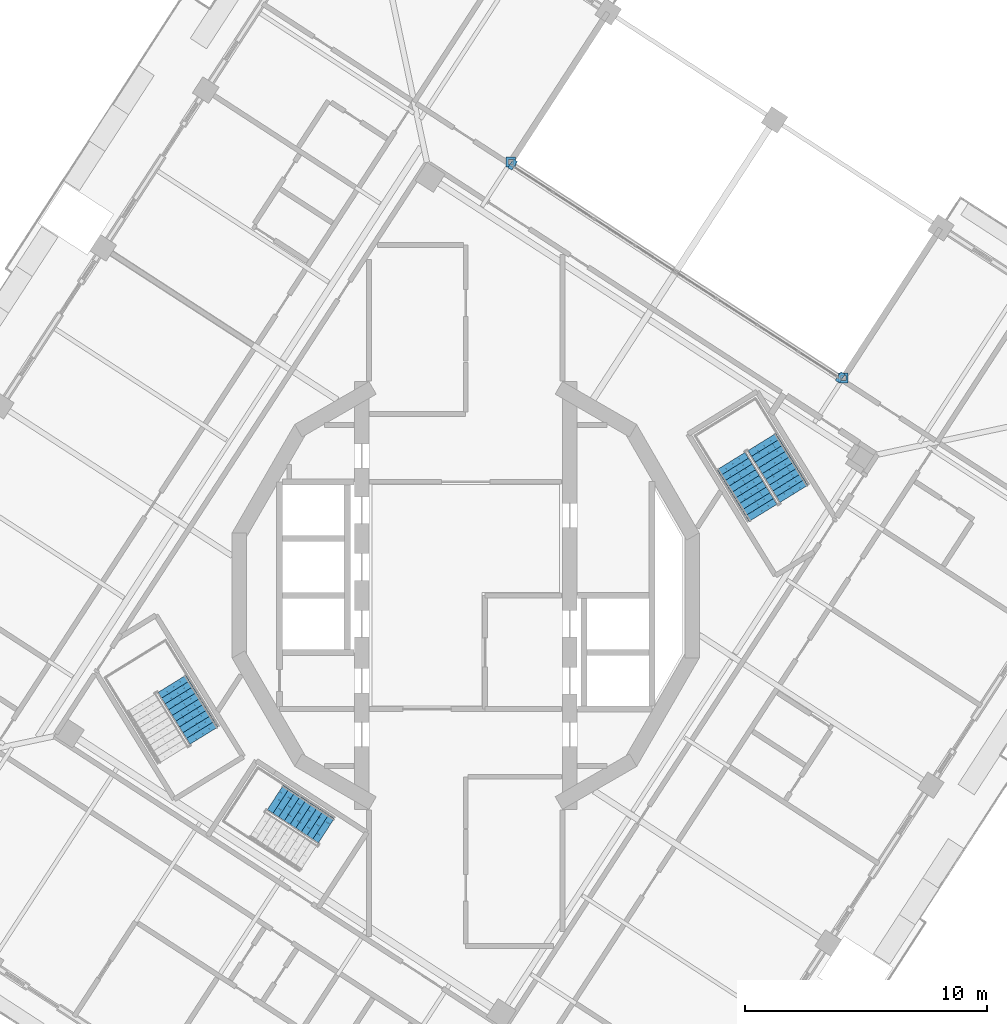
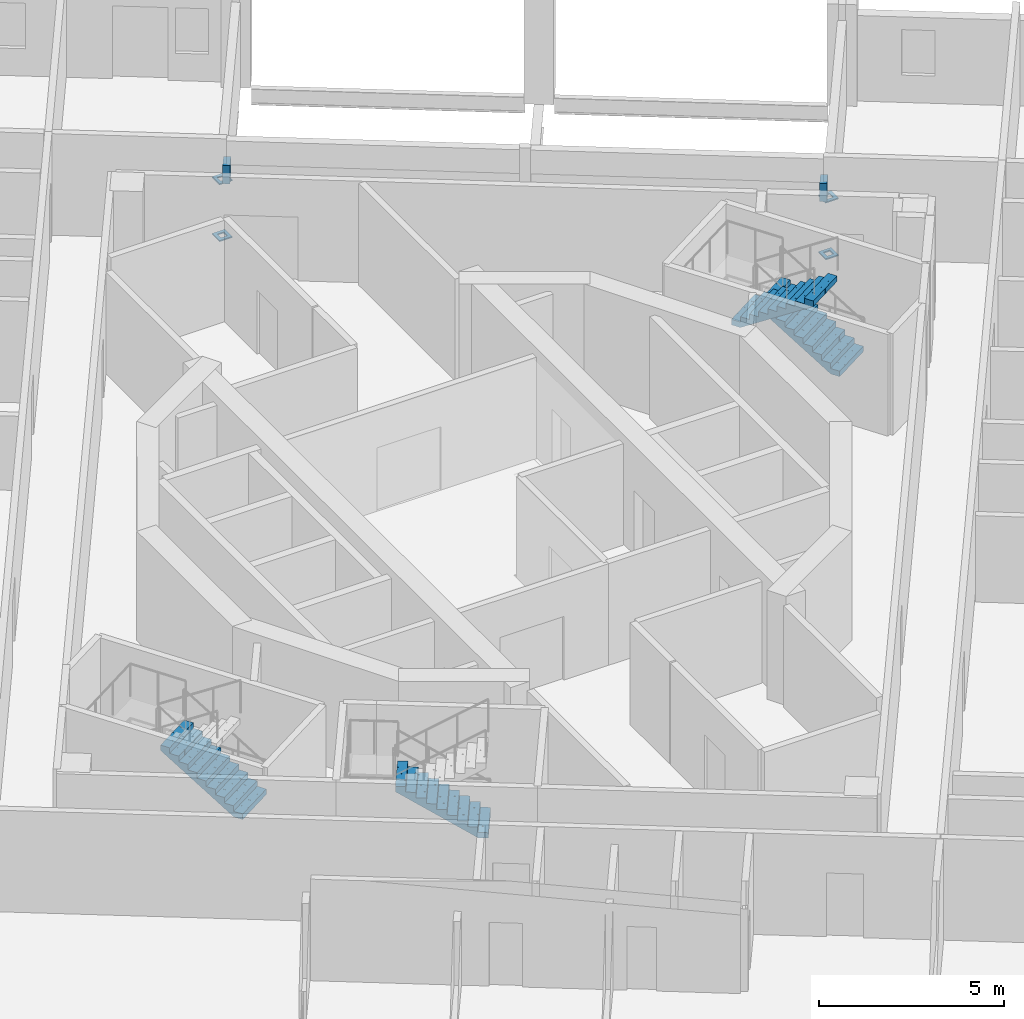
# One storey, part 12 of 17: 6 discrete accessories, 4 stair flights, 3 elements without a shape of their own.
"""IFC4 building model written with IfcOpenShell, lengths in metres."""

from ifc_helpers import new_model, si_unit, direction, frame, origin, place, context, subcontext, project, spatial, polyline, outline, extrude, material, layer, layer_set, type_object, element, aggregate, save


model = new_model("IFC4")

# Units and contexts
model_context = context("Model", 3, precision=1e-05, world=origin(), true_north=direction((0.0, 1.0)))
body_context = subcontext(model_context, "Body", "Model", "MODEL_VIEW")
ifc_project = project(units=[si_unit("LENGTHUNIT", "METRE"), si_unit("AREAUNIT", "SQUARE_METRE"), si_unit("VOLUMEUNIT", "CUBIC_METRE"), si_unit("PLANEANGLEUNIT", "RADIAN"), si_unit("MASSUNIT", "GRAM", prefix="KILO")], contexts=[model_context])

# Site, building, storey
site_placement = place(None, origin())
site = spatial("IfcSite", under=ifc_project, at=site_placement, CompositionType="ELEMENT")
building_placement = place(site_placement, origin())
building = spatial("IfcBuilding", under=site, at=building_placement, Name="Cantera Rosa Tower", CompositionType="ELEMENT")
storey_placement = place(building_placement, frame((0.0, 0.0, 275.699951171875)))
storey = spatial("IfcBuildingStorey", under=building, at=storey_placement, Name="L62", CompositionType="ELEMENT", Elevation=275.699951171875)

# Stair, stair flight
ifc_material_1 = material(Name="Concrete C35/45", Category="concrete")
stair_type_1 = type_object("IfcStairType", Name="EXIT STAIR 1200 DOGLEG", PredefinedType="HALF_TURN_STAIR", material=ifc_material_1)
stair_1_placement = place(storey_placement, origin())
stair_1 = element("IfcStair", 1, at=stair_1_placement, inside=storey, type_object=stair_type_1, Name="L62 ST-53", PredefinedType="HALF_TURN_STAIR")
ifc_material_2 = material(Name="Concrete C35/45", Category="concrete")
stair_flight_type_1 = type_object("IfcStairFlightType", Name="STAIR FLIGHT 1200 R20x180", PredefinedType="STRAIGHT", material=ifc_material_2)
stair_flight_1_placement = place(storey_placement, frame((-5.76318359375, -9.728271484375, 0.0), z_axis=(0.0, 0.0, 1.0), x_axis=(-0.838670567945, 0.544639035015, 0.0)))
stair_flight_1 = element("IfcStairFlight", 2, at=stair_flight_1_placement, type_object=stair_flight_type_1, Name="ST-53 flight 1", NumberOfRisers=10, NumberOfTreads=9, PredefinedType="STRAIGHT", RiserHeight=0.18, TreadLength=0.28, context=body_context, shape_type="SweptSolid", body=[
    extrude(outline(polyline([(0.0, 0.0), (0.0, 0.179931640625), (0.280029296875, 0.179931640625), (0.280029296875, 0.360107421875), (0.56005859375, 0.360107421875), (0.56005859375, 0.5400390625), (0.840087890625, 0.5400390625), (0.840087890625, 0.719970703125), (1.1201171875, 0.719970703125), (1.1201171875, 0.89990234375), (1.39990234375, 0.89990234375), (1.39990234375, 1.080078125), (1.679931640625, 1.080078125), (1.679931640625, 1.260009765625), (1.9599609375, 1.260009765625), (1.9599609375, 1.43994140625), (2.239990234375, 1.43994140625), (2.239990234375, 1.6201171875), (2.52001953125, 1.6201171875), (2.52001953125, 1.800048828125), (2.52001953125, 1.44189453125), (0.277099609375, 0.0), (0.0, 0.0)])), frame((0.0, 0.60009765625, 0.0), z_axis=(0.0, -1.0, 0.0), x_axis=(1.0, 0.0, 0.0)), (0.0, 0.0, 1.0), 0.298583984375),
    extrude(outline(polyline([(0.0, 0.0), (0.0, 0.179931640625), (0.280029296875, 0.179931640625), (0.280029296875, 0.360107421875), (0.56005859375, 0.360107421875), (0.56005859375, 0.5400390625), (0.840087890625, 0.5400390625), (0.840087890625, 0.719970703125), (1.1201171875, 0.719970703125), (1.1201171875, 0.89990234375), (1.39990234375, 0.89990234375), (1.39990234375, 1.080078125), (1.679931640625, 1.080078125), (1.679931640625, 1.260009765625), (1.9599609375, 1.260009765625), (1.9599609375, 1.43994140625), (2.239990234375, 1.43994140625), (2.239990234375, 1.6201171875), (2.52001953125, 1.6201171875), (2.52001953125, 1.800048828125), (2.52001953125, 1.44189453125), (0.277099609375, 0.0), (0.0, 0.0)])), frame((0.0, 0.29931640625, 0.0), z_axis=(0.0, -1.0, 0.0), x_axis=(1.0, 0.0, 0.0)), (0.0, 0.0, 1.0), 0.298583984375),
    extrude(outline(polyline([(0.0, 0.0), (0.0, 0.179931640625), (0.280029296875, 0.179931640625), (0.280029296875, 0.360107421875), (0.56005859375, 0.360107421875), (0.56005859375, 0.5400390625), (0.840087890625, 0.5400390625), (0.840087890625, 0.719970703125), (1.1201171875, 0.719970703125), (1.1201171875, 0.89990234375), (1.39990234375, 0.89990234375), (1.39990234375, 1.080078125), (1.679931640625, 1.080078125), (1.679931640625, 1.260009765625), (1.9599609375, 1.260009765625), (1.9599609375, 1.43994140625), (2.239990234375, 1.43994140625), (2.239990234375, 1.6201171875), (2.52001953125, 1.6201171875), (2.52001953125, 1.800048828125), (2.52001953125, 1.44189453125), (0.277099609375, 0.0), (0.0, 0.0)])), frame((0.0, -0.0009765625, 0.0), z_axis=(0.0, -1.0, 0.0), x_axis=(1.0, 0.0, 0.0)), (0.0, 0.0, 1.0), 0.298583984375),
    extrude(outline(polyline([(0.0, 0.0), (0.0, 0.179931640625), (0.280029296875, 0.179931640625), (0.280029296875, 0.360107421875), (0.56005859375, 0.360107421875), (0.56005859375, 0.5400390625), (0.840087890625, 0.5400390625), (0.840087890625, 0.719970703125), (1.1201171875, 0.719970703125), (1.1201171875, 0.89990234375), (1.39990234375, 0.89990234375), (1.39990234375, 1.080078125), (1.679931640625, 1.080078125), (1.679931640625, 1.260009765625), (1.9599609375, 1.260009765625), (1.9599609375, 1.43994140625), (2.239990234375, 1.43994140625), (2.239990234375, 1.6201171875), (2.52001953125, 1.6201171875), (2.52001953125, 1.800048828125), (2.52001953125, 1.44189453125), (0.277099609375, 0.0), (0.0, 0.0)])), frame((0.0, -0.3017578125, 0.0), z_axis=(0.0, -1.0, 0.0), x_axis=(1.0, 0.0, 0.0)), (0.0, 0.0, 1.0), 0.298583984375),
])
aggregate(stair_1, [stair_flight_1])

# Stair, stair flights
ifc_material_3 = material(Name="Concrete C35/45", Category="concrete")
stair_type_2 = type_object("IfcStairType", Name="EXIT STAIR 1350 DOGLEG", PredefinedType="HALF_TURN_STAIR", material=ifc_material_3)
stair_2_placement = place(storey_placement, origin())
stair_2 = element("IfcStair", 3, at=stair_2_placement, inside=storey, type_object=stair_type_2, Name="L62 ST-51", PredefinedType="HALF_TURN_STAIR")
ifc_material_4 = material(Name="Concrete C35/45", Category="concrete")
stair_flight_type_2 = type_object("IfcStairFlightType", Name="STAIR FLIGHT 1350 R20x180", PredefinedType="STRAIGHT", material=ifc_material_4)
stair_flight_2_placement = place(storey_placement, frame((13.5732421875, 4.2021484375, 0.0), z_axis=(0.0, 0.0, 1.0), x_axis=(-0.524976585286, 0.851116669383, 0.0)))
stair_flight_2 = element("IfcStairFlight", 4, at=stair_flight_2_placement, type_object=stair_flight_type_2, Name="ST-51 flight 1", NumberOfRisers=10, NumberOfTreads=9, PredefinedType="STRAIGHT", RiserHeight=0.18, TreadLength=0.28, context=body_context, shape_type="SweptSolid", body=[
    extrude(outline(polyline([(0.0, 0.0), (0.0, 0.179931640625), (0.280029296875, 0.179931640625), (0.280029296875, 0.360107421875), (0.56005859375, 0.360107421875), (0.56005859375, 0.5400390625), (0.840087890625, 0.5400390625), (0.840087890625, 0.719970703125), (1.1201171875, 0.719970703125), (1.1201171875, 0.89990234375), (1.39990234375, 0.89990234375), (1.39990234375, 1.080078125), (1.679931640625, 1.080078125), (1.679931640625, 1.260009765625), (1.9599609375, 1.260009765625), (1.9599609375, 1.43994140625), (2.239990234375, 1.43994140625), (2.239990234375, 1.6201171875), (2.52001953125, 1.6201171875), (2.52001953125, 1.800048828125), (2.52001953125, 1.44189453125), (0.277099609375, 0.0), (0.0, 0.0)])), frame((0.0, 0.675048828125, 0.0), z_axis=(0.0, -1.0, 0.0), x_axis=(1.0, 0.0, 0.0)), (0.0, 0.0, 1.0), 0.3359375),
    extrude(outline(polyline([(0.0, 0.0), (0.0, 0.179931640625), (0.280029296875, 0.179931640625), (0.280029296875, 0.360107421875), (0.56005859375, 0.360107421875), (0.56005859375, 0.5400390625), (0.840087890625, 0.5400390625), (0.840087890625, 0.719970703125), (1.1201171875, 0.719970703125), (1.1201171875, 0.89990234375), (1.39990234375, 0.89990234375), (1.39990234375, 1.080078125), (1.679931640625, 1.080078125), (1.679931640625, 1.260009765625), (1.9599609375, 1.260009765625), (1.9599609375, 1.43994140625), (2.239990234375, 1.43994140625), (2.239990234375, 1.6201171875), (2.52001953125, 1.6201171875), (2.52001953125, 1.800048828125), (2.52001953125, 1.44189453125), (0.277099609375, 0.0), (0.0, 0.0)])), frame((0.0, 0.337158203125, 0.0), z_axis=(0.0, -1.0, 0.0), x_axis=(1.0, 0.0, 0.0)), (0.0, 0.0, 1.0), 0.3359375),
    extrude(outline(polyline([(0.0, 0.0), (0.0, 0.179931640625), (0.280029296875, 0.179931640625), (0.280029296875, 0.360107421875), (0.56005859375, 0.360107421875), (0.56005859375, 0.5400390625), (0.840087890625, 0.5400390625), (0.840087890625, 0.719970703125), (1.1201171875, 0.719970703125), (1.1201171875, 0.89990234375), (1.39990234375, 0.89990234375), (1.39990234375, 1.080078125), (1.679931640625, 1.080078125), (1.679931640625, 1.260009765625), (1.9599609375, 1.260009765625), (1.9599609375, 1.43994140625), (2.239990234375, 1.43994140625), (2.239990234375, 1.6201171875), (2.52001953125, 1.6201171875), (2.52001953125, 1.800048828125), (2.52001953125, 1.44189453125), (0.277099609375, 0.0), (0.0, 0.0)])), frame((0.0, -0.000732421875, 0.0), z_axis=(0.0, -1.0, 0.0), x_axis=(1.0, 0.0, 0.0)), (0.0, 0.0, 1.0), 0.3359375),
    extrude(outline(polyline([(0.0, 0.0), (0.0, 0.179931640625), (0.280029296875, 0.179931640625), (0.280029296875, 0.360107421875), (0.56005859375, 0.360107421875), (0.56005859375, 0.5400390625), (0.840087890625, 0.5400390625), (0.840087890625, 0.719970703125), (1.1201171875, 0.719970703125), (1.1201171875, 0.89990234375), (1.39990234375, 0.89990234375), (1.39990234375, 1.080078125), (1.679931640625, 1.080078125), (1.679931640625, 1.260009765625), (1.9599609375, 1.260009765625), (1.9599609375, 1.43994140625), (2.239990234375, 1.43994140625), (2.239990234375, 1.6201171875), (2.52001953125, 1.6201171875), (2.52001953125, 1.800048828125), (2.52001953125, 1.44189453125), (0.277099609375, 0.0), (0.0, 0.0)])), frame((0.0, -0.338623046875, 0.0), z_axis=(0.0, -1.0, 0.0), x_axis=(1.0, 0.0, 0.0)), (0.0, 0.0, 1.0), 0.3359375),
])
stair_flight_3_placement = place(storey_placement, frame((10.9736328125, 5.5595703125, 1.800048828125), z_axis=(0.0, 0.0, 1.0), x_axis=(0.524976585286, -0.851116669383, 0.0)))
stair_flight_3 = element("IfcStairFlight", 5, at=stair_flight_3_placement, type_object=stair_flight_type_2, Name="ST-51 flight 2", NumberOfRisers=10, NumberOfTreads=9, PredefinedType="STRAIGHT", RiserHeight=0.18, TreadLength=0.28, context=body_context, shape_type="SweptSolid", body=[
    extrude(outline(polyline([(0.0, 0.0), (0.0, 0.179931640625), (0.280029296875, 0.179931640625), (0.280029296875, 0.360107421875), (0.56005859375, 0.360107421875), (0.56005859375, 0.5400390625), (0.840087890625, 0.5400390625), (0.840087890625, 0.719970703125), (1.1201171875, 0.719970703125), (1.1201171875, 0.89990234375), (1.39990234375, 0.89990234375), (1.39990234375, 1.080078125), (1.679931640625, 1.080078125), (1.679931640625, 1.260009765625), (1.9599609375, 1.260009765625), (1.9599609375, 1.43994140625), (2.239990234375, 1.43994140625), (2.239990234375, 1.6201171875), (2.52001953125, 1.6201171875), (2.52001953125, 1.800048828125), (2.52001953125, 1.44189453125), (0.277099609375, 0.0), (0.0, 0.0)])), frame((0.0, 0.675048828125, 0.0), z_axis=(0.0, -1.0, 0.0), x_axis=(1.0, 0.0, 0.0)), (0.0, 0.0, 1.0), 0.3359375),
    extrude(outline(polyline([(0.0, 0.0), (0.0, 0.179931640625), (0.280029296875, 0.179931640625), (0.280029296875, 0.360107421875), (0.56005859375, 0.360107421875), (0.56005859375, 0.5400390625), (0.840087890625, 0.5400390625), (0.840087890625, 0.719970703125), (1.1201171875, 0.719970703125), (1.1201171875, 0.89990234375), (1.39990234375, 0.89990234375), (1.39990234375, 1.080078125), (1.679931640625, 1.080078125), (1.679931640625, 1.260009765625), (1.9599609375, 1.260009765625), (1.9599609375, 1.43994140625), (2.239990234375, 1.43994140625), (2.239990234375, 1.6201171875), (2.52001953125, 1.6201171875), (2.52001953125, 1.800048828125), (2.52001953125, 1.44189453125), (0.277099609375, 0.0), (0.0, 0.0)])), frame((0.0, 0.337158203125, 0.0), z_axis=(0.0, -1.0, 0.0), x_axis=(1.0, 0.0, 0.0)), (0.0, 0.0, 1.0), 0.3359375),
    extrude(outline(polyline([(0.0, 0.0), (0.0, 0.179931640625), (0.280029296875, 0.179931640625), (0.280029296875, 0.360107421875), (0.56005859375, 0.360107421875), (0.56005859375, 0.5400390625), (0.840087890625, 0.5400390625), (0.840087890625, 0.719970703125), (1.1201171875, 0.719970703125), (1.1201171875, 0.89990234375), (1.39990234375, 0.89990234375), (1.39990234375, 1.080078125), (1.679931640625, 1.080078125), (1.679931640625, 1.260009765625), (1.9599609375, 1.260009765625), (1.9599609375, 1.43994140625), (2.239990234375, 1.43994140625), (2.239990234375, 1.6201171875), (2.52001953125, 1.6201171875), (2.52001953125, 1.800048828125), (2.52001953125, 1.44189453125), (0.277099609375, 0.0), (0.0, 0.0)])), frame((0.0, -0.000732421875, 0.0), z_axis=(0.0, -1.0, 0.0), x_axis=(1.0, 0.0, 0.0)), (0.0, 0.0, 1.0), 0.3359375),
    extrude(outline(polyline([(0.0, 0.0), (0.0, 0.179931640625), (0.280029296875, 0.179931640625), (0.280029296875, 0.360107421875), (0.56005859375, 0.360107421875), (0.56005859375, 0.5400390625), (0.840087890625, 0.5400390625), (0.840087890625, 0.719970703125), (1.1201171875, 0.719970703125), (1.1201171875, 0.89990234375), (1.39990234375, 0.89990234375), (1.39990234375, 1.080078125), (1.679931640625, 1.080078125), (1.679931640625, 1.260009765625), (1.9599609375, 1.260009765625), (1.9599609375, 1.43994140625), (2.239990234375, 1.43994140625), (2.239990234375, 1.6201171875), (2.52001953125, 1.6201171875), (2.52001953125, 1.800048828125), (2.52001953125, 1.44189453125), (0.277099609375, 0.0), (0.0, 0.0)])), frame((0.0, -0.338623046875, 0.0), z_axis=(0.0, -1.0, 0.0), x_axis=(1.0, 0.0, 0.0)), (0.0, 0.0, 1.0), 0.3359375),
])
aggregate(stair_2, [stair_flight_2, stair_flight_3])

# Stair, stair flight
stair_3_placement = place(storey_placement, origin())
stair_3 = element("IfcStair", 6, at=stair_3_placement, inside=storey, type_object=stair_type_2, Name="L62 ST-52", PredefinedType="HALF_TURN_STAIR")
stair_flight_4_placement = place(storey_placement, frame((-10.82666015625, -5.7978515625, 0.0), z_axis=(0.0, 0.0, 1.0), x_axis=(-0.524976585286, 0.851116669383, 0.0)))
stair_flight_4 = element("IfcStairFlight", 7, at=stair_flight_4_placement, type_object=stair_flight_type_2, Name="ST-52 flight 1", NumberOfRisers=10, NumberOfTreads=9, PredefinedType="STRAIGHT", RiserHeight=0.18, TreadLength=0.28, context=body_context, shape_type="SweptSolid", body=[
    extrude(outline(polyline([(0.0, 0.0), (0.0, 0.179931640625), (0.280029296875, 0.179931640625), (0.280029296875, 0.360107421875), (0.56005859375, 0.360107421875), (0.56005859375, 0.5400390625), (0.840087890625, 0.5400390625), (0.840087890625, 0.719970703125), (1.1201171875, 0.719970703125), (1.1201171875, 0.89990234375), (1.39990234375, 0.89990234375), (1.39990234375, 1.080078125), (1.679931640625, 1.080078125), (1.679931640625, 1.260009765625), (1.9599609375, 1.260009765625), (1.9599609375, 1.43994140625), (2.239990234375, 1.43994140625), (2.239990234375, 1.6201171875), (2.52001953125, 1.6201171875), (2.52001953125, 1.800048828125), (2.52001953125, 1.44189453125), (0.277099609375, 0.0), (0.0, 0.0)])), frame((0.0, 0.675048828125, 0.0), z_axis=(0.0, -1.0, 0.0), x_axis=(1.0, 0.0, 0.0)), (0.0, 0.0, 1.0), 0.3359375),
    extrude(outline(polyline([(0.0, 0.0), (0.0, 0.179931640625), (0.280029296875, 0.179931640625), (0.280029296875, 0.360107421875), (0.56005859375, 0.360107421875), (0.56005859375, 0.5400390625), (0.840087890625, 0.5400390625), (0.840087890625, 0.719970703125), (1.1201171875, 0.719970703125), (1.1201171875, 0.89990234375), (1.39990234375, 0.89990234375), (1.39990234375, 1.080078125), (1.679931640625, 1.080078125), (1.679931640625, 1.260009765625), (1.9599609375, 1.260009765625), (1.9599609375, 1.43994140625), (2.239990234375, 1.43994140625), (2.239990234375, 1.6201171875), (2.52001953125, 1.6201171875), (2.52001953125, 1.800048828125), (2.52001953125, 1.44189453125), (0.277099609375, 0.0), (0.0, 0.0)])), frame((0.0, 0.337158203125, 0.0), z_axis=(0.0, -1.0, 0.0), x_axis=(1.0, 0.0, 0.0)), (0.0, 0.0, 1.0), 0.3359375),
    extrude(outline(polyline([(0.0, 0.0), (0.0, 0.179931640625), (0.280029296875, 0.179931640625), (0.280029296875, 0.360107421875), (0.56005859375, 0.360107421875), (0.56005859375, 0.5400390625), (0.840087890625, 0.5400390625), (0.840087890625, 0.719970703125), (1.1201171875, 0.719970703125), (1.1201171875, 0.89990234375), (1.39990234375, 0.89990234375), (1.39990234375, 1.080078125), (1.679931640625, 1.080078125), (1.679931640625, 1.260009765625), (1.9599609375, 1.260009765625), (1.9599609375, 1.43994140625), (2.239990234375, 1.43994140625), (2.239990234375, 1.6201171875), (2.52001953125, 1.6201171875), (2.52001953125, 1.800048828125), (2.52001953125, 1.44189453125), (0.277099609375, 0.0), (0.0, 0.0)])), frame((0.0, -0.000732421875, 0.0), z_axis=(0.0, -1.0, 0.0), x_axis=(1.0, 0.0, 0.0)), (0.0, 0.0, 1.0), 0.3359375),
    extrude(outline(polyline([(0.0, 0.0), (0.0, 0.179931640625), (0.280029296875, 0.179931640625), (0.280029296875, 0.360107421875), (0.56005859375, 0.360107421875), (0.56005859375, 0.5400390625), (0.840087890625, 0.5400390625), (0.840087890625, 0.719970703125), (1.1201171875, 0.719970703125), (1.1201171875, 0.89990234375), (1.39990234375, 0.89990234375), (1.39990234375, 1.080078125), (1.679931640625, 1.080078125), (1.679931640625, 1.260009765625), (1.9599609375, 1.260009765625), (1.9599609375, 1.43994140625), (2.239990234375, 1.43994140625), (2.239990234375, 1.6201171875), (2.52001953125, 1.6201171875), (2.52001953125, 1.800048828125), (2.52001953125, 1.44189453125), (0.277099609375, 0.0), (0.0, 0.0)])), frame((0.0, -0.338623046875, 0.0), z_axis=(0.0, -1.0, 0.0), x_axis=(1.0, 0.0, 0.0)), (0.0, 0.0, 1.0), 0.3359375),
])
aggregate(stair_3, [stair_flight_4])

# Discrete accessories
ifc_material_5 = material(Name="Steel ASTM A992 (Fy 345 MPa)", Category="steel")
ifc_layer = layer(ifc_material_5, 0.0400390625)
ifc_layer_set = layer_set([ifc_layer], Name="STEEL BEARING PLATE 40")
discrete_accessory_type = type_object("IfcDiscreteAccessoryType", Name="STEEL BEARING PLATE 40", PredefinedType="ANCHORPLATE", material=ifc_layer_set)
for number, where, name in (
    (8, (0.0, 0.0, 0.0), "POST PLATE L62-1F"),
    (9, (0.0, 0.0, 1.8740234375), "POST PLATE L62-1T"),
):
    element("IfcDiscreteAccessory", number, at=place(storey_placement, frame(where)), inside=storey, type_object=discrete_accessory_type, Name=name, PredefinedType="ANCHORPLATE", context=body_context, shape_type="SweptSolid", body=[
        extrude(outline(polyline([(15.418701171875, 8.794677734375), (15.818603515625, 8.794677734375), (15.818603515625, 9.194580078125), (15.418701171875, 9.194580078125), (15.418701171875, 8.794677734375)]), holes=[polyline([(15.5185546875, 8.89453125), (15.718505859375, 8.89453125), (15.718505859375, 9.094482421875), (15.5185546875, 9.094482421875), (15.5185546875, 8.89453125)])]), origin(), (0.0, 0.0, 1.0), 0.0400390625),
    ])
for number, where, name in (
    (10, (0.0, 0.0, 0.0), "POST PLATE L62-2F"),
    (11, (0.0, 0.0, 1.8740234375), "POST PLATE L62-2T"),
):
    element("IfcDiscreteAccessory", number, at=place(storey_placement, frame(where)), inside=storey, type_object=discrete_accessory_type, Name=name, PredefinedType="ANCHORPLATE", context=body_context, shape_type="SweptSolid", body=[
        extrude(outline(polyline([(1.664306640625, 17.726806640625), (2.064453125, 17.726806640625), (2.064453125, 18.126708984375), (1.664306640625, 18.126708984375), (1.664306640625, 17.726806640625)]), holes=[polyline([(1.764404296875, 17.82666015625), (1.96435546875, 17.82666015625), (1.96435546875, 18.026611328125), (1.764404296875, 18.026611328125), (1.764404296875, 17.82666015625)])]), origin(), (0.0, 0.0, 1.0), 0.0400390625),
    ])
discrete_accessory_1_placement = place(storey_placement, frame((0.0, 0.0, 1.9140625)))
element("IfcDiscreteAccessory", 12, at=discrete_accessory_1_placement, inside=storey, type_object=discrete_accessory_type, Name="LINTEL PLATE L62-1", PredefinedType="ANCHORPLATE", context=body_context, shape_type="SweptSolid", body=[
    extrude(outline(polyline([(15.2861328125, 8.895751953125), (15.453857421875, 8.786865234375), (15.68701171875, 9.145751953125), (15.519287109375, 9.254638671875), (15.2861328125, 8.895751953125)])), origin(), (0.0, 0.0, 1.0), 0.60205078125),
])
discrete_accessory_2_placement = place(storey_placement, frame((0.0, 0.0, 1.9140625)))
element("IfcDiscreteAccessory", 13, at=discrete_accessory_2_placement, inside=storey, type_object=discrete_accessory_type, Name="LINTEL PLATE L62-2", PredefinedType="ANCHORPLATE", context=body_context, shape_type="SweptSolid", body=[
    extrude(outline(polyline([(2.142333984375, 17.941650390625), (1.974609375, 18.050537109375), (1.741455078125, 17.691650390625), (1.9091796875, 17.582763671875), (2.142333984375, 17.941650390625)])), origin(), (0.0, 0.0, 1.0), 0.60205078125),
])

save(model, "model.ifc")
